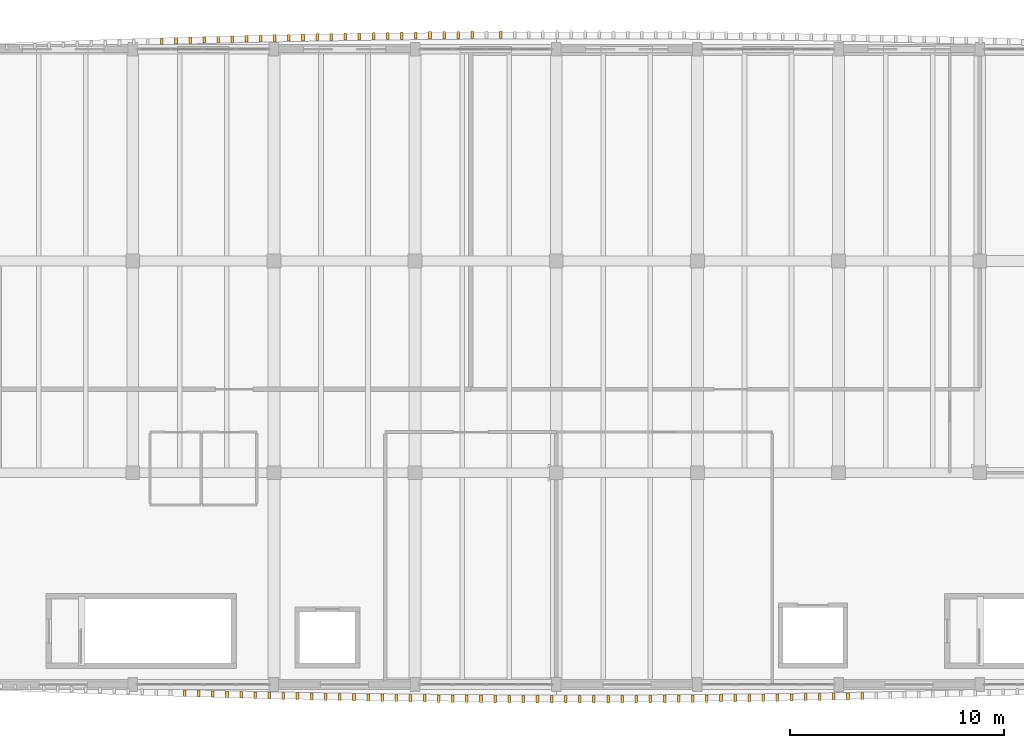
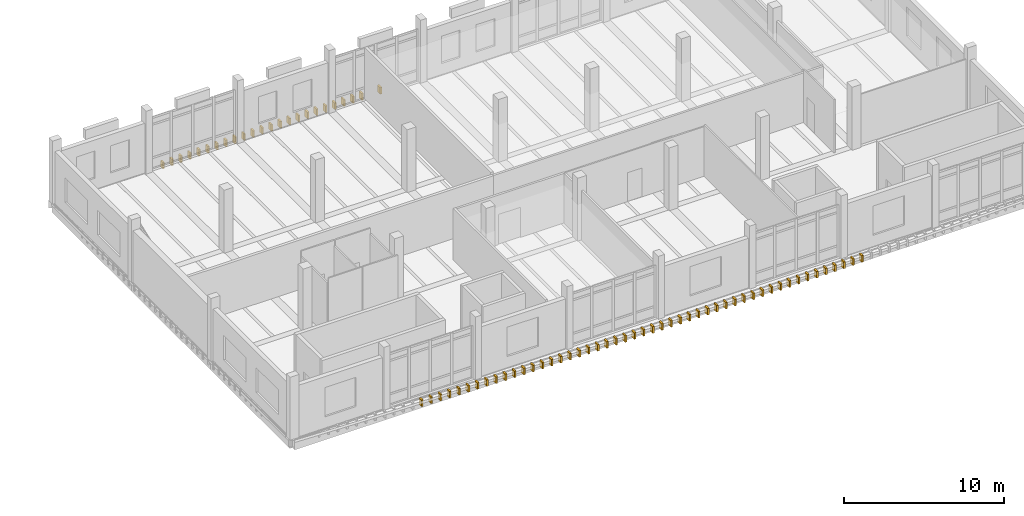
# One storey, part 35 of 37: 73 coverings.
"""IFC4 building model written with IfcOpenShell, lengths in metres."""

from ifc_helpers import new_model, si_unit, direction, frame, origin, origin_2d, place, context, subcontext, project, spatial, rectangle, extrude, material, layer, layer_set, type_object, element, save


model = new_model("IFC4")

# Units and contexts
model_context = context("Model", 3, precision=1e-05, world=origin(), true_north=direction((0.0, 1.0)))
body_context = subcontext(model_context, "Body", "Model", "MODEL_VIEW")
ifc_project = project(units=[si_unit("LENGTHUNIT", "METRE"), si_unit("AREAUNIT", "SQUARE_METRE"), si_unit("VOLUMEUNIT", "CUBIC_METRE"), si_unit("PLANEANGLEUNIT", "RADIAN"), si_unit("MASSUNIT", "GRAM", prefix="KILO")], contexts=[model_context])

# Site, building, storey
site_placement = place(None, origin())
site = spatial("IfcSite", under=ifc_project, at=site_placement, CompositionType="ELEMENT")
building_placement = place(site_placement, origin())
building = spatial("IfcBuilding", under=site, at=building_placement, Name="Dornvale Research Institute", CompositionType="ELEMENT")
storey_placement = place(building_placement, frame((0.0, 0.0, 29.39990234375)))
storey = spatial("IfcBuildingStorey", under=building, at=storey_placement, Name="L06", CompositionType="ELEMENT", Elevation=29.39990234375)

# Coverings
ifc_material = material(Name="Polychrome Glazed Terracotta Visor Rib Ceramic", Category="masonry")
ifc_layer = layer(ifc_material, 0.1201171875)
ifc_layer_set = layer_set([ifc_layer], Name="Polychrome Glazed Terracotta Visor Rib Ceramic")
covering_type = type_object("IfcCoveringType", Name="Covering_VisorBlade_Low", PredefinedType="CLADDING", material=ifc_layer_set)
covering_1_placement = place(storey_placement, frame((127.82470703125, 91.992919921875, -0.489990234375), z_axis=(0.0, 0.0, 1.0), x_axis=(0.0, 1.0, 0.0)))
element("IfcCovering", 1, at=covering_1_placement, inside=storey, type_object=covering_type, Name="L06 V4 canted glazed terracotta visor blade #3038", PredefinedType="CLADDING", context=body_context, shape_type="SweptSolid", body=[
    extrude(rectangle(XDim=0.2880859375, YDim=0.1201171875, at=origin_2d()), origin(), (0.0, 0.0, 1.0), 0.5),
])
covering_2_placement = place(storey_placement, frame((128.484619140625, 91.97265625, -0.489990234375), z_axis=(0.0, 0.0, 1.0), x_axis=(0.0, 1.0, 0.0)))
element("IfcCovering", 2, at=covering_2_placement, inside=storey, type_object=covering_type, Name="L06 V4 canted glazed terracotta visor blade #3039", PredefinedType="CLADDING", context=body_context, shape_type="SweptSolid", body=[
    extrude(rectangle(XDim=0.29296875, YDim=0.1201171875, at=origin_2d()), origin(), (0.0, 0.0, 1.0), 0.5),
])
covering_3_placement = place(storey_placement, frame((129.144287109375, 91.95361328125, -0.489990234375), z_axis=(0.0, 0.0, 1.0), x_axis=(0.0, 1.0, 0.0)))
element("IfcCovering", 3, at=covering_3_placement, inside=storey, type_object=covering_type, Name="L06 V4 canted glazed terracotta visor blade #3040", PredefinedType="CLADDING", context=body_context, shape_type="SweptSolid", body=[
    extrude(rectangle(XDim=0.298095703125, YDim=0.1201171875, at=origin_2d()), origin(), (0.0, 0.0, 1.0), 0.5),
])
covering_4_placement = place(storey_placement, frame((129.80419921875, 91.934814453125, -0.489990234375), z_axis=(0.0, 0.0, 1.0), x_axis=(0.0, 1.0, 0.0)))
element("IfcCovering", 4, at=covering_4_placement, inside=storey, type_object=covering_type, Name="L06 V4 canted glazed terracotta visor blade #3041", PredefinedType="CLADDING", context=body_context, shape_type="SweptSolid", body=[
    extrude(rectangle(XDim=0.302978515625, YDim=0.1201171875, at=origin_2d()), origin(), (0.0, 0.0, 1.0), 0.5),
])
covering_5_placement = place(storey_placement, frame((130.464111328125, 91.91650390625, -0.489990234375), z_axis=(0.0, 0.0, 1.0), x_axis=(0.0, 1.0, 0.0)))
element("IfcCovering", 5, at=covering_5_placement, inside=storey, type_object=covering_type, Name="L06 V4 canted glazed terracotta visor blade #3042", PredefinedType="CLADDING", context=body_context, shape_type="SweptSolid", body=[
    extrude(rectangle(XDim=0.30810546875, YDim=0.1201171875, at=origin_2d()), origin(), (0.0, 0.0, 1.0), 0.5),
])
covering_6_placement = place(storey_placement, frame((131.123779296875, 91.89990234375, -0.489990234375), z_axis=(0.0, 0.0, 1.0), x_axis=(0.0, 1.0, 0.0)))
element("IfcCovering", 6, at=covering_6_placement, inside=storey, type_object=covering_type, Name="L06 V4 canted glazed terracotta visor blade #3043", PredefinedType="CLADDING", context=body_context, shape_type="SweptSolid", body=[
    extrude(rectangle(XDim=0.31201171875, YDim=0.1201171875, at=origin_2d()), origin(), (0.0, 0.0, 1.0), 0.5),
])
covering_7_placement = place(storey_placement, frame((131.78369140625, 91.883544921875, -0.489990234375), z_axis=(0.0, 0.0, 1.0), x_axis=(0.0, 1.0, 0.0)))
element("IfcCovering", 7, at=covering_7_placement, inside=storey, type_object=covering_type, Name="L06 V4 canted glazed terracotta visor blade #3044", PredefinedType="CLADDING", context=body_context, shape_type="SweptSolid", body=[
    extrude(rectangle(XDim=0.31591796875, YDim=0.1201171875, at=origin_2d()), origin(), (0.0, 0.0, 1.0), 0.5),
])
covering_8_placement = place(storey_placement, frame((132.443603515625, 91.867919921875, -0.489990234375), z_axis=(0.0, 0.0, 1.0), x_axis=(0.0, 1.0, 0.0)))
element("IfcCovering", 8, at=covering_8_placement, inside=storey, type_object=covering_type, Name="L06 V4 canted glazed terracotta visor blade #3045", PredefinedType="CLADDING", context=body_context, shape_type="SweptSolid", body=[
    extrude(rectangle(XDim=0.320068359375, YDim=0.1201171875, at=origin_2d()), origin(), (0.0, 0.0, 1.0), 0.5),
])
covering_9_placement = place(storey_placement, frame((133.103515625, 91.85302734375, -0.489990234375), z_axis=(0.0, 0.0, 1.0), x_axis=(0.0, 1.0, 0.0)))
element("IfcCovering", 9, at=covering_9_placement, inside=storey, type_object=covering_type, Name="L06 V4 canted glazed terracotta visor blade #3046", PredefinedType="CLADDING", context=body_context, shape_type="SweptSolid", body=[
    extrude(rectangle(XDim=0.323974609375, YDim=0.1201171875, at=origin_2d()), origin(), (0.0, 0.0, 1.0), 0.5),
])
covering_10_placement = place(storey_placement, frame((133.76318359375, 91.8388671875, -0.489990234375), z_axis=(0.0, 0.0, 1.0), x_axis=(0.0, 1.0, 0.0)))
element("IfcCovering", 10, at=covering_10_placement, inside=storey, type_object=covering_type, Name="L06 V4 canted glazed terracotta visor blade #3047", PredefinedType="CLADDING", context=body_context, shape_type="SweptSolid", body=[
    extrude(rectangle(XDim=0.326904296875, YDim=0.1201171875, at=origin_2d()), origin(), (0.0, 0.0, 1.0), 0.5),
])
covering_11_placement = place(storey_placement, frame((134.423095703125, 91.82568359375, -0.489990234375), z_axis=(0.0, 0.0, 1.0), x_axis=(0.0, 1.0, 0.0)))
element("IfcCovering", 11, at=covering_11_placement, inside=storey, type_object=covering_type, Name="L06 V4 canted glazed terracotta visor blade #3048", PredefinedType="CLADDING", context=body_context, shape_type="SweptSolid", body=[
    extrude(rectangle(XDim=0.3310546875, YDim=0.1201171875, at=origin_2d()), origin(), (0.0, 0.0, 1.0), 0.5),
])
covering_12_placement = place(storey_placement, frame((135.0830078125, 91.81298828125, -0.489990234375), z_axis=(0.0, 0.0, 1.0), x_axis=(0.0, 1.0, 0.0)))
element("IfcCovering", 12, at=covering_12_placement, inside=storey, type_object=covering_type, Name="L06 V4 canted glazed terracotta visor blade #3049", PredefinedType="CLADDING", context=body_context, shape_type="SweptSolid", body=[
    extrude(rectangle(XDim=0.333984375, YDim=0.1201171875, at=origin_2d()), origin(), (0.0, 0.0, 1.0), 0.5),
])
covering_13_placement = place(storey_placement, frame((135.742919921875, 91.801025390625, -0.489990234375), z_axis=(0.0, 0.0, 1.0), x_axis=(0.0, 1.0, 0.0)))
element("IfcCovering", 13, at=covering_13_placement, inside=storey, type_object=covering_type, Name="L06 V4 canted glazed terracotta visor blade #3050", PredefinedType="CLADDING", context=body_context, shape_type="SweptSolid", body=[
    extrude(rectangle(XDim=0.3369140625, YDim=0.1201171875, at=origin_2d()), origin(), (0.0, 0.0, 1.0), 0.5),
])
covering_14_placement = place(storey_placement, frame((136.403076171875, 91.789794921875, -0.489990234375), z_axis=(0.0, 0.0, 1.0), x_axis=(0.0, 1.0, 0.0)))
element("IfcCovering", 14, at=covering_14_placement, inside=storey, type_object=covering_type, Name="L06 V4 canted glazed terracotta visor blade #3051", PredefinedType="CLADDING", context=body_context, shape_type="SweptSolid", body=[
    extrude(rectangle(XDim=0.340087890625, YDim=0.1201171875, at=origin_2d()), origin(), (0.0, 0.0, 1.0), 0.5),
])
covering_15_placement = place(storey_placement, frame((137.06298828125, 91.779296875, -0.489990234375), z_axis=(0.0, 0.0, 1.0), x_axis=(0.0, 1.0, 0.0)))
element("IfcCovering", 15, at=covering_15_placement, inside=storey, type_object=covering_type, Name="L06 V4 canted glazed terracotta visor blade #3052", PredefinedType="CLADDING", context=body_context, shape_type="SweptSolid", body=[
    extrude(rectangle(XDim=0.342041015625, YDim=0.1201171875, at=origin_2d()), origin(), (0.0, 0.0, 1.0), 0.5),
])
covering_16_placement = place(storey_placement, frame((137.722900390625, 91.769775390625, -0.489990234375), z_axis=(0.0, 0.0, 1.0), x_axis=(0.0, 1.0, 0.0)))
element("IfcCovering", 16, at=covering_16_placement, inside=storey, type_object=covering_type, Name="L06 V4 canted glazed terracotta visor blade #3053", PredefinedType="CLADDING", context=body_context, shape_type="SweptSolid", body=[
    extrude(rectangle(XDim=0.344970703125, YDim=0.1201171875, at=origin_2d()), origin(), (0.0, 0.0, 1.0), 0.5),
])
covering_17_placement = place(storey_placement, frame((138.3828125, 91.7607421875, -0.489990234375), z_axis=(0.0, 0.0, 1.0), x_axis=(0.0, 1.0, 0.0)))
element("IfcCovering", 17, at=covering_17_placement, inside=storey, type_object=covering_type, Name="L06 V4 canted glazed terracotta visor blade #3054", PredefinedType="CLADDING", context=body_context, shape_type="SweptSolid", body=[
    extrude(rectangle(XDim=0.346923828125, YDim=0.1201171875, at=origin_2d()), origin(), (0.0, 0.0, 1.0), 0.5),
])
covering_18_placement = place(storey_placement, frame((139.042724609375, 91.752685546875, -0.489990234375), z_axis=(0.0, 0.0, 1.0), x_axis=(0.0, 1.0, 0.0)))
element("IfcCovering", 18, at=covering_18_placement, inside=storey, type_object=covering_type, Name="L06 V4 canted glazed terracotta visor blade #3055", PredefinedType="CLADDING", context=body_context, shape_type="SweptSolid", body=[
    extrude(rectangle(XDim=0.34912109375, YDim=0.1201171875, at=origin_2d()), origin(), (0.0, 0.0, 1.0), 0.5),
])
covering_19_placement = place(storey_placement, frame((139.70263671875, 91.7451171875, -0.489990234375), z_axis=(0.0, 0.0, 1.0), x_axis=(0.0, 1.0, 0.0)))
element("IfcCovering", 19, at=covering_19_placement, inside=storey, type_object=covering_type, Name="L06 V4 canted glazed terracotta visor blade #3056", PredefinedType="CLADDING", context=body_context, shape_type="SweptSolid", body=[
    extrude(rectangle(XDim=0.35107421875, YDim=0.1201171875, at=origin_2d()), origin(), (0.0, 0.0, 1.0), 0.5),
])
covering_20_placement = place(storey_placement, frame((140.36279296875, 91.73779296875, -0.489990234375), z_axis=(0.0, 0.0, 1.0), x_axis=(0.0, 1.0, 0.0)))
element("IfcCovering", 20, at=covering_20_placement, inside=storey, type_object=covering_type, Name="L06 V4 canted glazed terracotta visor blade #3057", PredefinedType="CLADDING", context=body_context, shape_type="SweptSolid", body=[
    extrude(rectangle(XDim=0.35302734375, YDim=0.1201171875, at=origin_2d()), origin(), (0.0, 0.0, 1.0), 0.5),
])
covering_21_placement = place(storey_placement, frame((141.022705078125, 91.732421875, -0.489990234375), z_axis=(0.0, 0.0, 1.0), x_axis=(0.0, 1.0, 0.0)))
element("IfcCovering", 21, at=covering_21_placement, inside=storey, type_object=covering_type, Name="L06 V4 canted glazed terracotta visor blade #3058", PredefinedType="CLADDING", context=body_context, shape_type="SweptSolid", body=[
    extrude(rectangle(XDim=0.35400390625, YDim=0.1201171875, at=origin_2d()), origin(), (0.0, 0.0, 1.0), 0.5),
])
covering_22_placement = place(storey_placement, frame((141.6826171875, 91.726806640625, -0.489990234375), z_axis=(0.0, 0.0, 1.0), x_axis=(0.0, 1.0, 0.0)))
element("IfcCovering", 22, at=covering_22_placement, inside=storey, type_object=covering_type, Name="L06 V4 canted glazed terracotta visor blade #3059", PredefinedType="CLADDING", context=body_context, shape_type="SweptSolid", body=[
    extrude(rectangle(XDim=0.35595703125, YDim=0.1201171875, at=origin_2d()), origin(), (0.0, 0.0, 1.0), 0.5),
])
covering_23_placement = place(storey_placement, frame((142.342529296875, 91.72216796875, -0.489990234375), z_axis=(0.0, 0.0, 1.0), x_axis=(0.0, 1.0, 0.0)))
element("IfcCovering", 23, at=covering_23_placement, inside=storey, type_object=covering_type, Name="L06 V4 canted glazed terracotta visor blade #3060", PredefinedType="CLADDING", context=body_context, shape_type="SweptSolid", body=[
    extrude(rectangle(XDim=0.35693359375, YDim=0.1201171875, at=origin_2d()), origin(), (0.0, 0.0, 1.0), 0.5),
])
covering_24_placement = place(storey_placement, frame((143.002685546875, 91.718505859375, -0.489990234375), z_axis=(0.0, 0.0, 1.0), x_axis=(0.0, 1.0, 0.0)))
element("IfcCovering", 24, at=covering_24_placement, inside=storey, type_object=covering_type, Name="L06 V4 canted glazed terracotta visor blade #3061", PredefinedType="CLADDING", context=body_context, shape_type="SweptSolid", body=[
    extrude(rectangle(XDim=0.35791015625, YDim=0.1201171875, at=origin_2d()), origin(), (0.0, 0.0, 1.0), 0.5),
])
for number, where, z_axis, x_axis, name in (
    (25, (143.66259765625, 91.71484375, -0.489990234375), (0.0, 0.0, 1.0), (0.0, 1.0, 0.0), "L06 V4 canted glazed terracotta visor blade #3062"),
    (26, (144.322509765625, 91.71337890625, -0.489990234375), (0.0, 0.0, 1.0), (0.0, 1.0, 0.0), "L06 V4 canted glazed terracotta visor blade #3063"),
):
    element("IfcCovering", number, at=place(storey_placement, frame(where, z_axis=z_axis, x_axis=x_axis)), inside=storey, type_object=covering_type, Name=name, PredefinedType="CLADDING", context=body_context, shape_type="SweptSolid", body=[
        extrude(rectangle(XDim=0.35888671875, YDim=0.1201171875, at=origin_2d()), origin(), (0.0, 0.0, 1.0), 0.5),
    ])
for number, where, z_axis, x_axis, name in (
    (27, (144.982666015625, 91.711181640625, -0.489990234375), (0.0, 0.0, 1.0), (0.0, 1.0, 0.0), "L06 V4 canted glazed terracotta visor blade #3064"),
    (28, (145.642578125, 91.71044921875, -0.489990234375), (0.0, 0.0, 1.0), (0.0, 1.0, 0.0), "L06 V4 canted glazed terracotta visor blade #3065"),
    (29, (146.302490234375, 91.71044921875, -0.489990234375), (0.0, 0.0, 1.0), (0.0, 1.0, 0.0), "L06 V4 canted glazed terracotta visor blade #3066"),
    (30, (146.962646484375, 91.710693359375, -0.489990234375), (0.0, 0.0, 1.0), (0.0, 1.0, 0.0), "L06 V4 canted glazed terracotta visor blade #3067"),
    (31, (147.62255859375, 91.712158203125, -0.489990234375), (0.0, 0.0, 1.0), (0.0, 1.0, 0.0), "L06 V4 canted glazed terracotta visor blade #3068"),
):
    element("IfcCovering", number, at=place(storey_placement, frame(where, z_axis=z_axis, x_axis=x_axis)), inside=storey, type_object=covering_type, Name=name, PredefinedType="CLADDING", context=body_context, shape_type="SweptSolid", body=[
        extrude(rectangle(XDim=0.360107421875, YDim=0.1201171875, at=origin_2d()), origin(), (0.0, 0.0, 1.0), 0.5),
    ])
covering_25_placement = place(storey_placement, frame((148.28271484375, 91.71435546875, -0.489990234375), z_axis=(0.0, 0.0, 1.0), x_axis=(0.0, 1.0, 0.0)))
element("IfcCovering", 32, at=covering_25_placement, inside=storey, type_object=covering_type, Name="L06 V4 canted glazed terracotta visor blade #3069", PredefinedType="CLADDING", context=body_context, shape_type="SweptSolid", body=[
    extrude(rectangle(XDim=0.35888671875, YDim=0.1201171875, at=origin_2d()), origin(), (0.0, 0.0, 1.0), 0.5),
])
covering_26_placement = place(storey_placement, frame((148.942626953125, 91.71728515625, -0.489990234375), z_axis=(0.0, 0.0, 1.0), x_axis=(0.0, 1.0, 0.0)))
element("IfcCovering", 33, at=covering_26_placement, inside=storey, type_object=covering_type, Name="L06 V4 canted glazed terracotta visor blade #3070", PredefinedType="CLADDING", context=body_context, shape_type="SweptSolid", body=[
    extrude(rectangle(XDim=0.35791015625, YDim=0.1201171875, at=origin_2d()), origin(), (0.0, 0.0, 1.0), 0.5),
])
covering_27_placement = place(storey_placement, frame((149.6025390625, 91.720947265625, -0.489990234375), z_axis=(0.0, 0.0, 1.0), x_axis=(0.0, 1.0, 0.0)))
element("IfcCovering", 34, at=covering_27_placement, inside=storey, type_object=covering_type, Name="L06 V4 canted glazed terracotta visor blade #3071", PredefinedType="CLADDING", context=body_context, shape_type="SweptSolid", body=[
    extrude(rectangle(XDim=0.35693359375, YDim=0.1201171875, at=origin_2d()), origin(), (0.0, 0.0, 1.0), 0.5),
])
covering_28_placement = place(storey_placement, frame((150.2626953125, 91.724853515625, -0.489990234375), z_axis=(0.0, 0.0, 1.0), x_axis=(0.0, 1.0, 0.0)))
element("IfcCovering", 35, at=covering_28_placement, inside=storey, type_object=covering_type, Name="L06 V4 canted glazed terracotta visor blade #3072", PredefinedType="CLADDING", context=body_context, shape_type="SweptSolid", body=[
    extrude(rectangle(XDim=0.35595703125, YDim=0.1201171875, at=origin_2d()), origin(), (0.0, 0.0, 1.0), 0.5),
])
covering_29_placement = place(storey_placement, frame((150.922607421875, 91.72998046875, -0.489990234375), z_axis=(0.0, 0.0, 1.0), x_axis=(0.0, 1.0, 0.0)))
element("IfcCovering", 36, at=covering_29_placement, inside=storey, type_object=covering_type, Name="L06 V4 canted glazed terracotta visor blade #3073", PredefinedType="CLADDING", context=body_context, shape_type="SweptSolid", body=[
    extrude(rectangle(XDim=0.35498046875, YDim=0.1201171875, at=origin_2d()), origin(), (0.0, 0.0, 1.0), 0.5),
])
covering_30_placement = place(storey_placement, frame((151.58251953125, 91.7353515625, -0.489990234375), z_axis=(0.0, 0.0, 1.0), x_axis=(0.0, 1.0, 0.0)))
element("IfcCovering", 37, at=covering_30_placement, inside=storey, type_object=covering_type, Name="L06 V4 canted glazed terracotta visor blade #3074", PredefinedType="CLADDING", context=body_context, shape_type="SweptSolid", body=[
    extrude(rectangle(XDim=0.35400390625, YDim=0.1201171875, at=origin_2d()), origin(), (0.0, 0.0, 1.0), 0.5),
])
covering_31_placement = place(storey_placement, frame((152.242431640625, 91.7421875, -0.489990234375), z_axis=(0.0, 0.0, 1.0), x_axis=(0.0, 1.0, 0.0)))
element("IfcCovering", 38, at=covering_31_placement, inside=storey, type_object=covering_type, Name="L06 V4 canted glazed terracotta visor blade #3075", PredefinedType="CLADDING", context=body_context, shape_type="SweptSolid", body=[
    extrude(rectangle(XDim=0.35205078125, YDim=0.1201171875, at=origin_2d()), origin(), (0.0, 0.0, 1.0), 0.5),
])
covering_32_placement = place(storey_placement, frame((152.902587890625, 91.74951171875, -0.489990234375), z_axis=(0.0, 0.0, 1.0), x_axis=(0.0, 1.0, 0.0)))
element("IfcCovering", 39, at=covering_32_placement, inside=storey, type_object=covering_type, Name="L06 V4 canted glazed terracotta visor blade #3076", PredefinedType="CLADDING", context=body_context, shape_type="SweptSolid", body=[
    extrude(rectangle(XDim=0.35009765625, YDim=0.1201171875, at=origin_2d()), origin(), (0.0, 0.0, 1.0), 0.5),
])
covering_33_placement = place(storey_placement, frame((153.5625, 91.757080078125, -0.489990234375), z_axis=(0.0, 0.0, 1.0), x_axis=(0.0, 1.0, 0.0)))
element("IfcCovering", 40, at=covering_33_placement, inside=storey, type_object=covering_type, Name="L06 V4 canted glazed terracotta visor blade #3077", PredefinedType="CLADDING", context=body_context, shape_type="SweptSolid", body=[
    extrude(rectangle(XDim=0.347900390625, YDim=0.1201171875, at=origin_2d()), origin(), (0.0, 0.0, 1.0), 0.5),
])
covering_34_placement = place(storey_placement, frame((154.222412109375, 91.76611328125, -0.489990234375), z_axis=(0.0, 0.0, 1.0), x_axis=(0.0, 1.0, 0.0)))
element("IfcCovering", 41, at=covering_34_placement, inside=storey, type_object=covering_type, Name="L06 V4 canted glazed terracotta visor blade #3078", PredefinedType="CLADDING", context=body_context, shape_type="SweptSolid", body=[
    extrude(rectangle(XDim=0.345947265625, YDim=0.1201171875, at=origin_2d()), origin(), (0.0, 0.0, 1.0), 0.5),
])
covering_35_placement = place(storey_placement, frame((154.88232421875, 91.775634765625, -0.489990234375), z_axis=(0.0, 0.0, 1.0), x_axis=(0.0, 1.0, 0.0)))
element("IfcCovering", 42, at=covering_35_placement, inside=storey, type_object=covering_type, Name="L06 V4 canted glazed terracotta visor blade #3079", PredefinedType="CLADDING", context=body_context, shape_type="SweptSolid", body=[
    extrude(rectangle(XDim=0.343017578125, YDim=0.1201171875, at=origin_2d()), origin(), (0.0, 0.0, 1.0), 0.5),
])
covering_36_placement = place(storey_placement, frame((155.542236328125, 91.78564453125, -0.489990234375), z_axis=(0.0, 0.0, 1.0), x_axis=(0.0, 1.0, 0.0)))
element("IfcCovering", 43, at=covering_36_placement, inside=storey, type_object=covering_type, Name="L06 V4 canted glazed terracotta visor blade #3080", PredefinedType="CLADDING", context=body_context, shape_type="SweptSolid", body=[
    extrude(rectangle(XDim=0.341064453125, YDim=0.1201171875, at=origin_2d()), origin(), (0.0, 0.0, 1.0), 0.5),
])
covering_37_placement = place(storey_placement, frame((156.2021484375, 91.796875, -0.489990234375), z_axis=(0.0, 0.0, 1.0), x_axis=(0.0, 1.0, 0.0)))
element("IfcCovering", 44, at=covering_37_placement, inside=storey, type_object=covering_type, Name="L06 V4 canted glazed terracotta visor blade #3081", PredefinedType="CLADDING", context=body_context, shape_type="SweptSolid", body=[
    extrude(rectangle(XDim=0.337890625, YDim=0.1201171875, at=origin_2d()), origin(), (0.0, 0.0, 1.0), 0.5),
])
covering_38_placement = place(storey_placement, frame((156.8623046875, 91.80810546875, -0.489990234375), z_axis=(0.0, 0.0, 1.0), x_axis=(0.0, 1.0, 0.0)))
element("IfcCovering", 45, at=covering_38_placement, inside=storey, type_object=covering_type, Name="L06 V4 canted glazed terracotta visor blade #3082", PredefinedType="CLADDING", context=body_context, shape_type="SweptSolid", body=[
    extrude(rectangle(XDim=0.3349609375, YDim=0.1201171875, at=origin_2d()), origin(), (0.0, 0.0, 1.0), 0.5),
])
covering_39_placement = place(storey_placement, frame((157.522216796875, 91.82080078125, -0.489990234375), z_axis=(0.0, 0.0, 1.0), x_axis=(0.0, 1.0, 0.0)))
element("IfcCovering", 46, at=covering_39_placement, inside=storey, type_object=covering_type, Name="L06 V4 canted glazed terracotta visor blade #3083", PredefinedType="CLADDING", context=body_context, shape_type="SweptSolid", body=[
    extrude(rectangle(XDim=0.33203125, YDim=0.1201171875, at=origin_2d()), origin(), (0.0, 0.0, 1.0), 0.5),
])
covering_40_placement = place(storey_placement, frame((158.181884765625, 91.83349609375, -0.489990234375), z_axis=(0.0, 0.0, 1.0), x_axis=(0.0, 1.0, 0.0)))
element("IfcCovering", 47, at=covering_40_placement, inside=storey, type_object=covering_type, Name="L06 V4 canted glazed terracotta visor blade #3084", PredefinedType="CLADDING", context=body_context, shape_type="SweptSolid", body=[
    extrude(rectangle(XDim=0.3291015625, YDim=0.1201171875, at=origin_2d()), origin(), (0.0, 0.0, 1.0), 0.5),
])
covering_41_placement = place(storey_placement, frame((158.841796875, 91.84765625, -0.489990234375), z_axis=(0.0, 0.0, 1.0), x_axis=(0.0, 1.0, 0.0)))
element("IfcCovering", 48, at=covering_41_placement, inside=storey, type_object=covering_type, Name="L06 V4 canted glazed terracotta visor blade #3085", PredefinedType="CLADDING", context=body_context, shape_type="SweptSolid", body=[
    extrude(rectangle(XDim=0.324951171875, YDim=0.1201171875, at=origin_2d()), origin(), (0.0, 0.0, 1.0), 0.5),
])
covering_42_placement = place(storey_placement, frame((159.501708984375, 91.862548828125, -0.489990234375), z_axis=(0.0, 0.0, 1.0), x_axis=(0.0, 1.0, 0.0)))
element("IfcCovering", 49, at=covering_42_placement, inside=storey, type_object=covering_type, Name="L06 V4 canted glazed terracotta visor blade #3086", PredefinedType="CLADDING", context=body_context, shape_type="SweptSolid", body=[
    extrude(rectangle(XDim=0.321044921875, YDim=0.1201171875, at=origin_2d()), origin(), (0.0, 0.0, 1.0), 0.5),
])
covering_43_placement = place(storey_placement, frame((142.597412109375, 122.779052734375, -0.489990234375), z_axis=(0.0, 0.0, 1.0), x_axis=(0.0, 1.0, 0.0)))
element("IfcCovering", 50, at=covering_43_placement, inside=storey, type_object=covering_type, Name="L06 V4 canted glazed terracotta visor blade #3153", PredefinedType="CLADDING", context=body_context, shape_type="SweptSolid", body=[
    extrude(rectangle(XDim=0.35693359375, YDim=0.1201171875, at=origin_2d()), origin(), (0.0, 0.0, 1.0), 0.5),
])
covering_44_placement = place(storey_placement, frame((141.27734375, 122.77001953125, -0.489990234375), z_axis=(0.0, 0.0, 1.0), x_axis=(0.0, 1.0, 0.0)))
element("IfcCovering", 51, at=covering_44_placement, inside=storey, type_object=covering_type, Name="L06 V4 canted glazed terracotta visor blade #3155", PredefinedType="CLADDING", context=body_context, shape_type="SweptSolid", body=[
    extrude(rectangle(XDim=0.35498046875, YDim=0.1201171875, at=origin_2d()), origin(), (0.0, 0.0, 1.0), 0.5),
])
covering_45_placement = place(storey_placement, frame((140.617431640625, 122.7646484375, -0.489990234375), z_axis=(0.0, 0.0, 1.0), x_axis=(0.0, 1.0, 0.0)))
element("IfcCovering", 52, at=covering_45_placement, inside=storey, type_object=covering_type, Name="L06 V4 canted glazed terracotta visor blade #3156", PredefinedType="CLADDING", context=body_context, shape_type="SweptSolid", body=[
    extrude(rectangle(XDim=0.35400390625, YDim=0.1201171875, at=origin_2d()), origin(), (0.0, 0.0, 1.0), 0.5),
])
covering_46_placement = place(storey_placement, frame((139.95751953125, 122.7578125, -0.489990234375), z_axis=(0.0, 0.0, 1.0), x_axis=(0.0, 1.0, 0.0)))
element("IfcCovering", 53, at=covering_46_placement, inside=storey, type_object=covering_type, Name="L06 V4 canted glazed terracotta visor blade #3157", PredefinedType="CLADDING", context=body_context, shape_type="SweptSolid", body=[
    extrude(rectangle(XDim=0.35205078125, YDim=0.1201171875, at=origin_2d()), origin(), (0.0, 0.0, 1.0), 0.5),
])
covering_47_placement = place(storey_placement, frame((139.297607421875, 122.75048828125, -0.489990234375), z_axis=(0.0, 0.0, 1.0), x_axis=(0.0, 1.0, 0.0)))
element("IfcCovering", 54, at=covering_47_placement, inside=storey, type_object=covering_type, Name="L06 V4 canted glazed terracotta visor blade #3158", PredefinedType="CLADDING", context=body_context, shape_type="SweptSolid", body=[
    extrude(rectangle(XDim=0.35009765625, YDim=0.1201171875, at=origin_2d()), origin(), (0.0, 0.0, 1.0), 0.5),
])
covering_48_placement = place(storey_placement, frame((138.637451171875, 122.742919921875, -0.489990234375), z_axis=(0.0, 0.0, 1.0), x_axis=(0.0, 1.0, 0.0)))
element("IfcCovering", 55, at=covering_48_placement, inside=storey, type_object=covering_type, Name="L06 V4 canted glazed terracotta visor blade #3159", PredefinedType="CLADDING", context=body_context, shape_type="SweptSolid", body=[
    extrude(rectangle(XDim=0.347900390625, YDim=0.1201171875, at=origin_2d()), origin(), (0.0, 0.0, 1.0), 0.5),
])
covering_49_placement = place(storey_placement, frame((137.9775390625, 122.73388671875, -0.489990234375), z_axis=(0.0, 0.0, 1.0), x_axis=(0.0, 1.0, 0.0)))
element("IfcCovering", 56, at=covering_49_placement, inside=storey, type_object=covering_type, Name="L06 V4 canted glazed terracotta visor blade #3160", PredefinedType="CLADDING", context=body_context, shape_type="SweptSolid", body=[
    extrude(rectangle(XDim=0.345947265625, YDim=0.1201171875, at=origin_2d()), origin(), (0.0, 0.0, 1.0), 0.5),
])
covering_50_placement = place(storey_placement, frame((137.317626953125, 122.724365234375, -0.489990234375), z_axis=(0.0, 0.0, 1.0), x_axis=(0.0, 1.0, 0.0)))
element("IfcCovering", 57, at=covering_50_placement, inside=storey, type_object=covering_type, Name="L06 V4 canted glazed terracotta visor blade #3161", PredefinedType="CLADDING", context=body_context, shape_type="SweptSolid", body=[
    extrude(rectangle(XDim=0.343017578125, YDim=0.1201171875, at=origin_2d()), origin(), (0.0, 0.0, 1.0), 0.5),
])
covering_51_placement = place(storey_placement, frame((136.65771484375, 122.71435546875, -0.489990234375), z_axis=(0.0, 0.0, 1.0), x_axis=(0.0, 1.0, 0.0)))
element("IfcCovering", 58, at=covering_51_placement, inside=storey, type_object=covering_type, Name="L06 V4 canted glazed terracotta visor blade #3162", PredefinedType="CLADDING", context=body_context, shape_type="SweptSolid", body=[
    extrude(rectangle(XDim=0.341064453125, YDim=0.1201171875, at=origin_2d()), origin(), (0.0, 0.0, 1.0), 0.5),
])
covering_52_placement = place(storey_placement, frame((135.997802734375, 122.703125, -0.489990234375), z_axis=(0.0, 0.0, 1.0), x_axis=(0.0, 1.0, 0.0)))
element("IfcCovering", 59, at=covering_52_placement, inside=storey, type_object=covering_type, Name="L06 V4 canted glazed terracotta visor blade #3163", PredefinedType="CLADDING", context=body_context, shape_type="SweptSolid", body=[
    extrude(rectangle(XDim=0.337890625, YDim=0.1201171875, at=origin_2d()), origin(), (0.0, 0.0, 1.0), 0.5),
])
covering_53_placement = place(storey_placement, frame((135.337890625, 122.69189453125, -0.489990234375), z_axis=(0.0, 0.0, 1.0), x_axis=(0.0, 1.0, 0.0)))
element("IfcCovering", 60, at=covering_53_placement, inside=storey, type_object=covering_type, Name="L06 V4 canted glazed terracotta visor blade #3164", PredefinedType="CLADDING", context=body_context, shape_type="SweptSolid", body=[
    extrude(rectangle(XDim=0.3349609375, YDim=0.1201171875, at=origin_2d()), origin(), (0.0, 0.0, 1.0), 0.5),
])
covering_54_placement = place(storey_placement, frame((134.677978515625, 122.67919921875, -0.489990234375), z_axis=(0.0, 0.0, 1.0), x_axis=(0.0, 1.0, 0.0)))
element("IfcCovering", 61, at=covering_54_placement, inside=storey, type_object=covering_type, Name="L06 V4 canted glazed terracotta visor blade #3165", PredefinedType="CLADDING", context=body_context, shape_type="SweptSolid", body=[
    extrude(rectangle(XDim=0.33203125, YDim=0.1201171875, at=origin_2d()), origin(), (0.0, 0.0, 1.0), 0.5),
])
covering_55_placement = place(storey_placement, frame((134.01806640625, 122.66650390625, -0.489990234375), z_axis=(0.0, 0.0, 1.0), x_axis=(0.0, 1.0, 0.0)))
element("IfcCovering", 62, at=covering_55_placement, inside=storey, type_object=covering_type, Name="L06 V4 canted glazed terracotta visor blade #3166", PredefinedType="CLADDING", context=body_context, shape_type="SweptSolid", body=[
    extrude(rectangle(XDim=0.3291015625, YDim=0.1201171875, at=origin_2d()), origin(), (0.0, 0.0, 1.0), 0.5),
])
covering_56_placement = place(storey_placement, frame((133.358154296875, 122.65234375, -0.489990234375), z_axis=(0.0, 0.0, 1.0), x_axis=(0.0, 1.0, 0.0)))
element("IfcCovering", 63, at=covering_56_placement, inside=storey, type_object=covering_type, Name="L06 V4 canted glazed terracotta visor blade #3167", PredefinedType="CLADDING", context=body_context, shape_type="SweptSolid", body=[
    extrude(rectangle(XDim=0.324951171875, YDim=0.1201171875, at=origin_2d()), origin(), (0.0, 0.0, 1.0), 0.5),
])
covering_57_placement = place(storey_placement, frame((132.6982421875, 122.637451171875, -0.489990234375), z_axis=(0.0, 0.0, 1.0), x_axis=(0.0, 1.0, 0.0)))
element("IfcCovering", 64, at=covering_57_placement, inside=storey, type_object=covering_type, Name="L06 V4 canted glazed terracotta visor blade #3168", PredefinedType="CLADDING", context=body_context, shape_type="SweptSolid", body=[
    extrude(rectangle(XDim=0.321044921875, YDim=0.1201171875, at=origin_2d()), origin(), (0.0, 0.0, 1.0), 0.5),
])
covering_58_placement = place(storey_placement, frame((132.038330078125, 122.623046875, -0.489990234375), z_axis=(0.0, 0.0, 1.0), x_axis=(0.0, 1.0, 0.0)))
element("IfcCovering", 65, at=covering_58_placement, inside=storey, type_object=covering_type, Name="L06 V4 canted glazed terracotta visor blade #3169", PredefinedType="CLADDING", context=body_context, shape_type="SweptSolid", body=[
    extrude(rectangle(XDim=0.318115234375, YDim=0.1201171875, at=origin_2d()), origin(), (0.0, 0.0, 1.0), 0.5),
])
covering_59_placement = place(storey_placement, frame((131.37841796875, 122.606201171875, -0.489990234375), z_axis=(0.0, 0.0, 1.0), x_axis=(0.0, 1.0, 0.0)))
element("IfcCovering", 66, at=covering_59_placement, inside=storey, type_object=covering_type, Name="L06 V4 canted glazed terracotta visor blade #3170", PredefinedType="CLADDING", context=body_context, shape_type="SweptSolid", body=[
    extrude(rectangle(XDim=0.31298828125, YDim=0.1201171875, at=origin_2d()), origin(), (0.0, 0.0, 1.0), 0.5),
])
covering_60_placement = place(storey_placement, frame((130.71875, 122.589599609375, -0.489990234375), z_axis=(0.0, 0.0, 1.0), x_axis=(0.0, 1.0, 0.0)))
element("IfcCovering", 67, at=covering_60_placement, inside=storey, type_object=covering_type, Name="L06 V4 canted glazed terracotta visor blade #3171", PredefinedType="CLADDING", context=body_context, shape_type="SweptSolid", body=[
    extrude(rectangle(XDim=0.30908203125, YDim=0.1201171875, at=origin_2d()), origin(), (0.0, 0.0, 1.0), 0.5),
])
covering_61_placement = place(storey_placement, frame((130.058837890625, 122.572265625, -0.489990234375), z_axis=(0.0, 0.0, 1.0), x_axis=(0.0, 1.0, 0.0)))
element("IfcCovering", 68, at=covering_61_placement, inside=storey, type_object=covering_type, Name="L06 V4 canted glazed terracotta visor blade #3172", PredefinedType="CLADDING", context=body_context, shape_type="SweptSolid", body=[
    extrude(rectangle(XDim=0.304931640625, YDim=0.1201171875, at=origin_2d()), origin(), (0.0, 0.0, 1.0), 0.5),
])
covering_62_placement = place(storey_placement, frame((129.399169921875, 122.5537109375, -0.489990234375), z_axis=(0.0, 0.0, 1.0), x_axis=(0.0, 1.0, 0.0)))
element("IfcCovering", 69, at=covering_62_placement, inside=storey, type_object=covering_type, Name="L06 V4 canted glazed terracotta visor blade #3173", PredefinedType="CLADDING", context=body_context, shape_type="SweptSolid", body=[
    extrude(rectangle(XDim=0.300048828125, YDim=0.1201171875, at=origin_2d()), origin(), (0.0, 0.0, 1.0), 0.5),
])
covering_63_placement = place(storey_placement, frame((128.7392578125, 122.53515625, -0.489990234375), z_axis=(0.0, 0.0, 1.0), x_axis=(0.0, 1.0, 0.0)))
element("IfcCovering", 70, at=covering_63_placement, inside=storey, type_object=covering_type, Name="L06 V4 canted glazed terracotta visor blade #3174", PredefinedType="CLADDING", context=body_context, shape_type="SweptSolid", body=[
    extrude(rectangle(XDim=0.294921875, YDim=0.1201171875, at=origin_2d()), origin(), (0.0, 0.0, 1.0), 0.5),
])
covering_64_placement = place(storey_placement, frame((128.07958984375, 122.514892578125, -0.489990234375), z_axis=(0.0, 0.0, 1.0), x_axis=(0.0, 1.0, 0.0)))
element("IfcCovering", 71, at=covering_64_placement, inside=storey, type_object=covering_type, Name="L06 V4 canted glazed terracotta visor blade #3175", PredefinedType="CLADDING", context=body_context, shape_type="SweptSolid", body=[
    extrude(rectangle(XDim=0.2900390625, YDim=0.1201171875, at=origin_2d()), origin(), (0.0, 0.0, 1.0), 0.5),
])
covering_65_placement = place(storey_placement, frame((127.419921875, 122.49462890625, -0.489990234375), z_axis=(0.0, 0.0, 1.0), x_axis=(0.0, 1.0, 0.0)))
element("IfcCovering", 72, at=covering_65_placement, inside=storey, type_object=covering_type, Name="L06 V4 canted glazed terracotta visor blade #3176", PredefinedType="CLADDING", context=body_context, shape_type="SweptSolid", body=[
    extrude(rectangle(XDim=0.284912109375, YDim=0.1201171875, at=origin_2d()), origin(), (0.0, 0.0, 1.0), 0.5),
])
covering_66_placement = place(storey_placement, frame((126.760009765625, 122.4736328125, -0.489990234375), z_axis=(0.0, 0.0, 1.0), x_axis=(0.0, 1.0, 0.0)))
element("IfcCovering", 73, at=covering_66_placement, inside=storey, type_object=covering_type, Name="L06 V4 canted glazed terracotta visor blade #3177", PredefinedType="CLADDING", context=body_context, shape_type="SweptSolid", body=[
    extrude(rectangle(XDim=0.280029296875, YDim=0.1201171875, at=origin_2d()), origin(), (0.0, 0.0, 1.0), 0.5),
])

save(model, "model.ifc")
